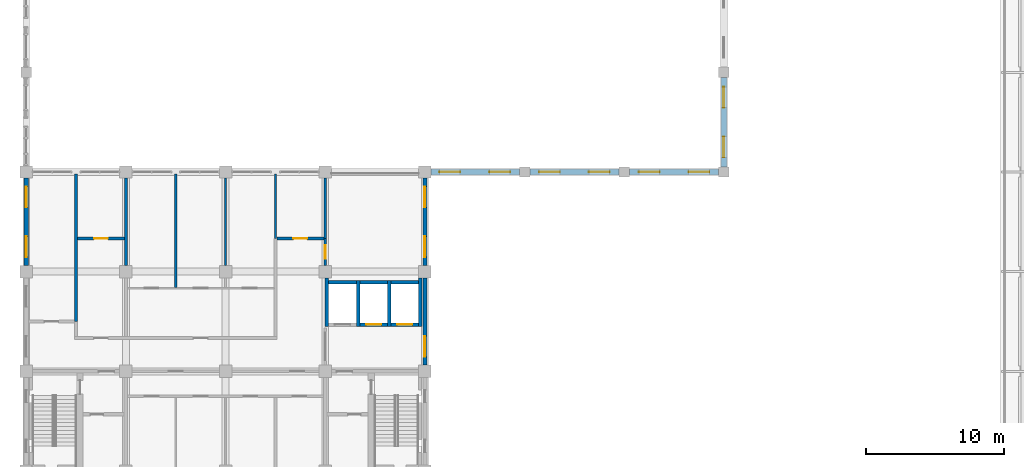
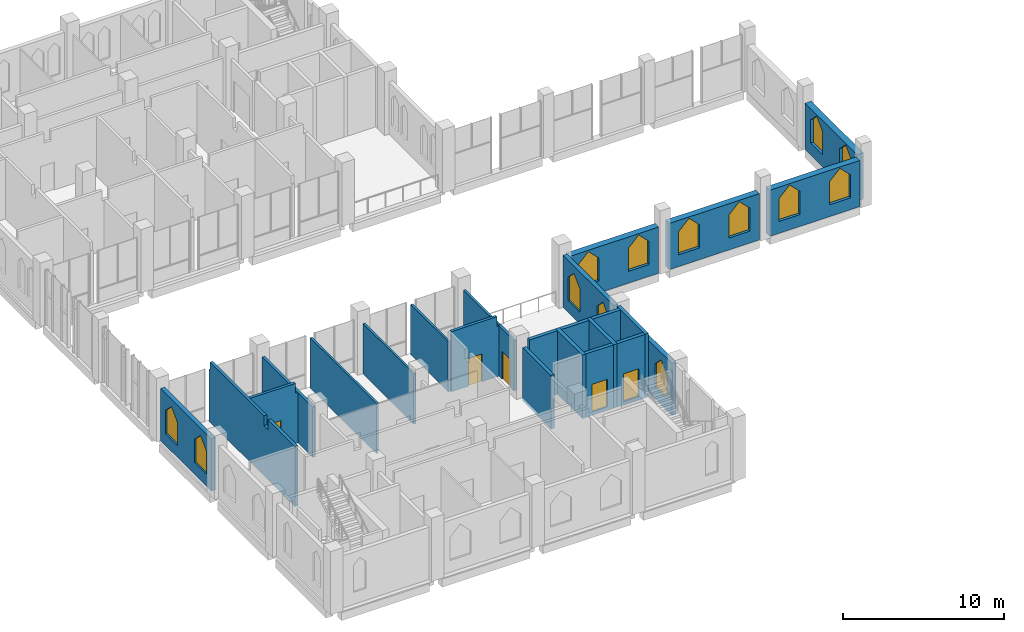
# One storey, part 21 of 30: 25 walls, 13 windows, 5 doors, 18 openings.
"""IFC4 building model written with IfcOpenShell, lengths in metres."""

from ifc_helpers import new_model, si_unit, direction, frame, frame_2d, origin, place, context, subcontext, project, spatial, polyline, rectangle, outline, extrude, material, layer, layer_set, type_object, element, fill, save


model = new_model("IFC4")

# Units and contexts
model_context = context("Model", 3, precision=1e-05, world=origin(), true_north=direction((0.0, 1.0)))
body_context = subcontext(model_context, "Body", "Model", "MODEL_VIEW")
ifc_project = project(units=[si_unit("LENGTHUNIT", "METRE"), si_unit("AREAUNIT", "SQUARE_METRE"), si_unit("VOLUMEUNIT", "CUBIC_METRE"), si_unit("PLANEANGLEUNIT", "RADIAN"), si_unit("MASSUNIT", "GRAM", prefix="KILO")], contexts=[model_context])

# Site, building, storey
site_placement = place(None, origin())
site = spatial("IfcSite", under=ifc_project, at=site_placement, CompositionType="ELEMENT")
building_placement = place(site_placement, origin())
building = spatial("IfcBuilding", under=site, at=building_placement, Name="Silangan Lancet Faculty of Sciences", CompositionType="ELEMENT")
storey_placement = place(building_placement, frame((0.0, 0.0, 31.199951171875)))
storey = spatial("IfcBuildingStorey", under=building, at=storey_placement, Name="L06", CompositionType="ELEMENT", Elevation=31.199951171875)

# Wall, openings, windows
ifc_material_1 = material(Name="Concrete C40/50 precast", Category="concrete")
ifc_layer_1 = layer(ifc_material_1, 0.300048828125)
ifc_layer_set_1 = layer_set([ifc_layer_1], Name="Concrete C40/50 precast")
wall_type_1 = type_object("IfcWallType", Name="EW1 Precast cladding wall", PredefinedType="STANDARD", material=ifc_layer_set_1)
wall_1_placement = place(storey_placement, frame((0.0, 14.85009765625, 0.0), z_axis=(0.0, 0.0, 1.0), x_axis=(0.0, 1.0, 0.0)))
wall_1 = element("IfcWall", 1, at=wall_1_placement, inside=storey, type_object=wall_type_1, Name="EW-L06-W-ST-02", PredefinedType="STANDARD", context=body_context, shape_type="SweptSolid", body=[
    extrude(rectangle(XDim=6.2998046875, YDim=0.300048828125, at=frame_2d((3.14990234375, 0.0))), origin(), (0.0, 0.0, 1.0), 3.949951171875),
])
opening_1_placement = place(wall_1_placement, frame((0.60009765625, 0.0, 0.89990234375)))
opening_1 = element("IfcOpeningElement", 2, at=opening_1_placement, cuts=wall_1, Name="Opening W12", PredefinedType="OPENING", context=body_context, shape_type="SweptSolid", body=[
    extrude(outline(polyline([(0.0, 0.0), (1.5, 0.0), (1.5, 1.75), (0.75, 2.5), (0.0, 1.75), (0.0, 0.0)])), frame((0.0, 0.159912109375, 0.0), z_axis=(0.0, -1.0, 0.0), x_axis=(1.0, 0.0, 0.0)), (0.0, 0.0, 1.0), 0.320068359375),
])
opening_2_placement = place(wall_1_placement, frame((4.199951171875, 0.0, 0.89990234375)))
opening_2 = element("IfcOpeningElement", 3, at=opening_2_placement, cuts=wall_1, Name="Opening W12", PredefinedType="OPENING", context=body_context, shape_type="SweptSolid", body=[
    extrude(outline(polyline([(0.0, 0.0), (1.5, 0.0), (1.5, 1.75), (0.75, 2.5), (0.0, 1.75), (0.0, 0.0)])), frame((0.0, 0.159912109375, 0.0), z_axis=(0.0, -1.0, 0.0), x_axis=(1.0, 0.0, 0.0)), (0.0, 0.0, 1.0), 0.320068359375),
])
ifc_material_2 = material(Name="Aluminium frame, laminated double glazing", Category="aluminium")
window_type_1 = type_object("IfcWindowType", Name="W12 Lancet window 1500 x 2500", PartitioningType="SINGLE_PANEL", PredefinedType="WINDOW", material=ifc_material_2)
window_1_placement = place(opening_1_placement, origin())
window_1 = element("IfcWindow", 4, at=window_1_placement, inside=storey, type_object=window_type_1, Name="WIN-L06-W-ST-02a", OverallHeight=2.5, OverallWidth=1.5, PartitioningType="SINGLE_PANEL", PredefinedType="WINDOW", context=body_context, shape_type="SweptSolid", body=[
    extrude(outline(polyline([(0.0, 0.0), (1.5, 0.0), (1.5, 1.75), (0.75, 2.5), (0.0, 1.75), (0.0, 0.0)])), frame((0.0, 0.030029296875, 0.0), z_axis=(0.0, -1.0, 0.0), x_axis=(1.0, 0.0, 0.0)), (0.0, 0.0, 1.0), 0.06005859375),
])
fill(opening_1, window_1)
window_2_placement = place(opening_2_placement, origin())
window_2 = element("IfcWindow", 5, at=window_2_placement, inside=storey, type_object=window_type_1, Name="WIN-L06-W-ST-02b", OverallHeight=2.5, OverallWidth=1.5, PartitioningType="SINGLE_PANEL", PredefinedType="WINDOW", context=body_context, shape_type="SweptSolid", body=[
    extrude(outline(polyline([(0.0, 0.0), (1.5, 0.0), (1.5, 1.75), (0.75, 2.5), (0.0, 1.75), (0.0, 0.0)])), frame((0.0, 0.030029296875, 0.0), z_axis=(0.0, -1.0, 0.0), x_axis=(1.0, 0.0, 0.0)), (0.0, 0.0, 1.0), 0.06005859375),
])
fill(opening_2, window_2)

# Wall, opening, window
wall_2_placement = place(storey_placement, frame((28.800048828125, 7.64990234375, 0.0), z_axis=(0.0, 0.0, 1.0), x_axis=(0.0, 1.0, 0.0)))
wall_2 = element("IfcWall", 6, at=wall_2_placement, inside=storey, type_object=wall_type_1, Name="EW-L06-E-ST-01", PredefinedType="STANDARD", context=body_context, shape_type="SweptSolid", body=[
    extrude(rectangle(XDim=6.300048828125, YDim=0.300048828125, at=frame_2d((3.14990234375, 0.0))), origin(), (0.0, 0.0, 1.0), 3.949951171875),
])
opening_3_placement = place(wall_2_placement, frame((0.60009765625, 0.0, 0.89990234375)))
opening_3 = element("IfcOpeningElement", 7, at=opening_3_placement, cuts=wall_2, Name="Opening W12", PredefinedType="OPENING", context=body_context, shape_type="SweptSolid", body=[
    extrude(outline(polyline([(0.0, 0.0), (1.5, 0.0), (1.5, 1.75), (0.75, 2.5), (0.0, 1.75), (0.0, 0.0)])), frame((0.0, 0.159912109375, 0.0), z_axis=(0.0, -1.0, 0.0), x_axis=(1.0, 0.0, 0.0)), (0.0, 0.0, 1.0), 0.320068359375),
])
window_3_placement = place(opening_3_placement, origin())
window_3 = element("IfcWindow", 8, at=window_3_placement, inside=storey, type_object=window_type_1, Name="WIN-L06-E-ST-01a", OverallHeight=2.5, OverallWidth=1.5, PartitioningType="SINGLE_PANEL", PredefinedType="WINDOW", context=body_context, shape_type="SweptSolid", body=[
    extrude(outline(polyline([(0.0, 0.0), (1.5, 0.0), (1.5, 1.75), (0.75, 2.5), (0.0, 1.75), (0.0, 0.0)])), frame((0.0, 0.030029296875, 0.0), z_axis=(0.0, -1.0, 0.0), x_axis=(1.0, 0.0, 0.0)), (0.0, 0.0, 1.0), 0.06005859375),
])
fill(opening_3, window_3)

# Wall, openings, windows
wall_3_placement = place(storey_placement, frame((28.800048828125, 14.85009765625, 0.0), z_axis=(0.0, 0.0, 1.0), x_axis=(0.0, 1.0, 0.0)))
wall_3 = element("IfcWall", 9, at=wall_3_placement, inside=storey, type_object=wall_type_1, Name="EW-L06-E-ST-02", PredefinedType="STANDARD", context=body_context, shape_type="SweptSolid", body=[
    extrude(rectangle(XDim=6.2998046875, YDim=0.300048828125, at=frame_2d((3.14990234375, 0.0))), origin(), (0.0, 0.0, 1.0), 3.949951171875),
])
opening_4_placement = place(wall_3_placement, frame((0.60009765625, 0.0, 0.89990234375)))
opening_4 = element("IfcOpeningElement", 10, at=opening_4_placement, cuts=wall_3, Name="Opening W12", PredefinedType="OPENING", context=body_context, shape_type="SweptSolid", body=[
    extrude(outline(polyline([(0.0, 0.0), (1.5, 0.0), (1.5, 1.75), (0.75, 2.5), (0.0, 1.75), (0.0, 0.0)])), frame((0.0, 0.159912109375, 0.0), z_axis=(0.0, -1.0, 0.0), x_axis=(1.0, 0.0, 0.0)), (0.0, 0.0, 1.0), 0.320068359375),
])
opening_5_placement = place(wall_3_placement, frame((4.199951171875, 0.0, 0.89990234375)))
opening_5 = element("IfcOpeningElement", 11, at=opening_5_placement, cuts=wall_3, Name="Opening W12", PredefinedType="OPENING", context=body_context, shape_type="SweptSolid", body=[
    extrude(outline(polyline([(0.0, 0.0), (1.5, 0.0), (1.5, 1.75), (0.75, 2.5), (0.0, 1.75), (0.0, 0.0)])), frame((0.0, 0.159912109375, 0.0), z_axis=(0.0, -1.0, 0.0), x_axis=(1.0, 0.0, 0.0)), (0.0, 0.0, 1.0), 0.320068359375),
])
window_4_placement = place(opening_4_placement, origin())
window_4 = element("IfcWindow", 12, at=window_4_placement, inside=storey, type_object=window_type_1, Name="WIN-L06-E-ST-02a", OverallHeight=2.5, OverallWidth=1.5, PartitioningType="SINGLE_PANEL", PredefinedType="WINDOW", context=body_context, shape_type="SweptSolid", body=[
    extrude(outline(polyline([(0.0, 0.0), (1.5, 0.0), (1.5, 1.75), (0.75, 2.5), (0.0, 1.75), (0.0, 0.0)])), frame((0.0, 0.030029296875, 0.0), z_axis=(0.0, -1.0, 0.0), x_axis=(1.0, 0.0, 0.0)), (0.0, 0.0, 1.0), 0.06005859375),
])
fill(opening_4, window_4)
window_5_placement = place(opening_5_placement, origin())
window_5 = element("IfcWindow", 13, at=window_5_placement, inside=storey, type_object=window_type_1, Name="WIN-L06-E-ST-02b", OverallHeight=2.5, OverallWidth=1.5, PartitioningType="SINGLE_PANEL", PredefinedType="WINDOW", context=body_context, shape_type="SweptSolid", body=[
    extrude(outline(polyline([(0.0, 0.0), (1.5, 0.0), (1.5, 1.75), (0.75, 2.5), (0.0, 1.75), (0.0, 0.0)])), frame((0.0, 0.030029296875, 0.0), z_axis=(0.0, -1.0, 0.0), x_axis=(1.0, 0.0, 0.0)), (0.0, 0.0, 1.0), 0.06005859375),
])
fill(opening_5, window_5)

ifc_material_3 = material(Name="Concrete C40/50", Category="concrete")
ifc_layer_2 = layer(ifc_material_3, 0.449951171875)
ifc_layer_set_2 = layer_set([ifc_layer_2], Name="Concrete C40/50")
wall_type_2 = type_object("IfcWallType", Name="EW8 Clerestory wall with deep reveals", PredefinedType="STANDARD", material=ifc_layer_set_2)
wall_4_placement = place(storey_placement, frame((29.25, 21.60009765625, 0.0), z_axis=(0.0, 0.0, 1.0), x_axis=(1.0, 0.0, 0.0)))
wall_4 = element("IfcWall", 14, at=wall_4_placement, inside=storey, type_object=wall_type_2, Name="EW-L06-S-NAVE-CL-00", PredefinedType="STANDARD", context=body_context, shape_type="SweptSolid", body=[
    extrude(rectangle(XDim=6.375, YDim=0.449951171875, at=frame_2d((3.1875, 0.0))), origin(), (0.0, 0.0, 1.0), 3.5),
])
opening_6_placement = place(wall_4_placement, frame((0.60009765625, 0.0, 0.89990234375)))
opening_6 = element("IfcOpeningElement", 15, at=opening_6_placement, cuts=wall_4, Name="Opening W12", PredefinedType="OPENING", context=body_context, shape_type="SweptSolid", body=[
    extrude(outline(polyline([(0.0, 0.0), (1.5, 0.0), (1.5, 1.75), (0.75, 2.5), (0.0, 1.75), (0.0, 0.0)])), frame((0.0, 0.23486328125, 0.0), z_axis=(0.0, -1.0, 0.0), x_axis=(1.0, 0.0, 0.0)), (0.0, 0.0, 1.0), 0.469970703125),
])
opening_7_placement = place(wall_4_placement, frame((4.199951171875, 0.0, 0.89990234375)))
opening_7 = element("IfcOpeningElement", 16, at=opening_7_placement, cuts=wall_4, Name="Opening W13", PredefinedType="OPENING", context=body_context, shape_type="SweptSolid", body=[
    extrude(outline(polyline([(0.0, 0.0), (1.5, 0.0), (1.5, 1.75), (0.75, 2.5), (0.0, 1.75), (0.0, 0.0)])), frame((0.0, 0.23486328125, 0.0), z_axis=(0.0, -1.0, 0.0), x_axis=(1.0, 0.0, 0.0)), (0.0, 0.0, 1.0), 0.469970703125),
])
window_6_placement = place(opening_6_placement, origin())
window_6 = element("IfcWindow", 17, at=window_6_placement, inside=storey, type_object=window_type_1, Name="WIN-L06-S-NAVE-CL-00a", OverallHeight=2.5, OverallWidth=1.5, PartitioningType="SINGLE_PANEL", PredefinedType="WINDOW", context=body_context, shape_type="SweptSolid", body=[
    extrude(outline(polyline([(0.0, 0.0), (1.5, 0.0), (1.5, 1.75), (0.75, 2.5), (0.0, 1.75), (0.0, 0.0)])), frame((0.0, 0.030029296875, 0.0), z_axis=(0.0, -1.0, 0.0), x_axis=(1.0, 0.0, 0.0)), (0.0, 0.0, 1.0), 0.06005859375),
])
fill(opening_6, window_6)
ifc_material_4 = material(Name="Aluminium storm louvre blades", Category="aluminium")
window_type_2 = type_object("IfcWindowType", Name="W13 Storm louvre lancet 1500 x 2500", PartitioningType="SINGLE_PANEL", PredefinedType="WINDOW", material=ifc_material_4)
window_7_placement = place(opening_7_placement, origin())
window_7 = element("IfcWindow", 18, at=window_7_placement, inside=storey, type_object=window_type_2, Name="WIN-L06-S-NAVE-CL-00b", OverallHeight=2.5, OverallWidth=1.5, PartitioningType="SINGLE_PANEL", PredefinedType="WINDOW", context=body_context, shape_type="SweptSolid", body=[
    extrude(outline(polyline([(0.0, 0.0), (1.5, 0.0), (1.5, 1.75), (0.75, 2.5), (0.0, 1.75), (0.0, 0.0)])), frame((0.0, 0.030029296875, 0.0), z_axis=(0.0, -1.0, 0.0), x_axis=(1.0, 0.0, 0.0)), (0.0, 0.0, 1.0), 0.06005859375),
])
fill(opening_7, window_7)

wall_5_placement = place(storey_placement, frame((36.375, 21.60009765625, 0.0), z_axis=(0.0, 0.0, 1.0), x_axis=(1.0, 0.0, 0.0)))
wall_5 = element("IfcWall", 19, at=wall_5_placement, inside=storey, type_object=wall_type_2, Name="EW-L06-S-NAVE-CL-01", PredefinedType="STANDARD", context=body_context, shape_type="SweptSolid", body=[
    extrude(rectangle(XDim=6.449951171875, YDim=0.449951171875, at=frame_2d((3.22509765625, 0.0))), origin(), (0.0, 0.0, 1.0), 3.5),
])
opening_8_placement = place(wall_5_placement, frame((0.675048828125, 0.0, 0.89990234375)))
opening_8 = element("IfcOpeningElement", 20, at=opening_8_placement, cuts=wall_5, Name="Opening W12", PredefinedType="OPENING", context=body_context, shape_type="SweptSolid", body=[
    extrude(outline(polyline([(0.0, 0.0), (1.5, 0.0), (1.5, 1.75), (0.75, 2.5), (0.0, 1.75), (0.0, 0.0)])), frame((0.0, 0.23486328125, 0.0), z_axis=(0.0, -1.0, 0.0), x_axis=(1.0, 0.0, 0.0)), (0.0, 0.0, 1.0), 0.469970703125),
])
opening_9_placement = place(wall_5_placement, frame((4.27490234375, 0.0, 0.89990234375)))
opening_9 = element("IfcOpeningElement", 21, at=opening_9_placement, cuts=wall_5, Name="Opening W13", PredefinedType="OPENING", context=body_context, shape_type="SweptSolid", body=[
    extrude(outline(polyline([(0.0, 0.0), (1.5, 0.0), (1.5, 1.75), (0.75, 2.5), (0.0, 1.75), (0.0, 0.0)])), frame((0.0, 0.23486328125, 0.0), z_axis=(0.0, -1.0, 0.0), x_axis=(1.0, 0.0, 0.0)), (0.0, 0.0, 1.0), 0.469970703125),
])
window_8_placement = place(opening_8_placement, origin())
window_8 = element("IfcWindow", 22, at=window_8_placement, inside=storey, type_object=window_type_1, Name="WIN-L06-S-NAVE-CL-01a", OverallHeight=2.5, OverallWidth=1.5, PartitioningType="SINGLE_PANEL", PredefinedType="WINDOW", context=body_context, shape_type="SweptSolid", body=[
    extrude(outline(polyline([(0.0, 0.0), (1.5, 0.0), (1.5, 1.75), (0.75, 2.5), (0.0, 1.75), (0.0, 0.0)])), frame((0.0, 0.030029296875, 0.0), z_axis=(0.0, -1.0, 0.0), x_axis=(1.0, 0.0, 0.0)), (0.0, 0.0, 1.0), 0.06005859375),
])
fill(opening_8, window_8)
window_9_placement = place(opening_9_placement, origin())
window_9 = element("IfcWindow", 23, at=window_9_placement, inside=storey, type_object=window_type_2, Name="WIN-L06-S-NAVE-CL-01b", OverallHeight=2.5, OverallWidth=1.5, PartitioningType="SINGLE_PANEL", PredefinedType="WINDOW", context=body_context, shape_type="SweptSolid", body=[
    extrude(outline(polyline([(0.0, 0.0), (1.5, 0.0), (1.5, 1.75), (0.75, 2.5), (0.0, 1.75), (0.0, 0.0)])), frame((0.0, 0.030029296875, 0.0), z_axis=(0.0, -1.0, 0.0), x_axis=(1.0, 0.0, 0.0)), (0.0, 0.0, 1.0), 0.06005859375),
])
fill(opening_9, window_9)

wall_6_placement = place(storey_placement, frame((43.574951171875, 21.60009765625, 0.0), z_axis=(0.0, 0.0, 1.0), x_axis=(1.0, 0.0, 0.0)))
wall_6 = element("IfcWall", 24, at=wall_6_placement, inside=storey, type_object=wall_type_2, Name="EW-L06-S-NAVE-CL-02", PredefinedType="STANDARD", context=body_context, shape_type="SweptSolid", body=[
    extrude(rectangle(XDim=6.449951171875, YDim=0.449951171875, at=frame_2d((3.22509765625, 0.0))), origin(), (0.0, 0.0, 1.0), 3.5),
])
opening_10_placement = place(wall_6_placement, frame((0.675048828125, 0.0, 0.89990234375)))
opening_10 = element("IfcOpeningElement", 25, at=opening_10_placement, cuts=wall_6, Name="Opening W12", PredefinedType="OPENING", context=body_context, shape_type="SweptSolid", body=[
    extrude(outline(polyline([(0.0, 0.0), (1.5, 0.0), (1.5, 1.75), (0.75, 2.5), (0.0, 1.75), (0.0, 0.0)])), frame((0.0, 0.23486328125, 0.0), z_axis=(0.0, -1.0, 0.0), x_axis=(1.0, 0.0, 0.0)), (0.0, 0.0, 1.0), 0.469970703125),
])
opening_11_placement = place(wall_6_placement, frame((4.27490234375, 0.0, 0.89990234375)))
opening_11 = element("IfcOpeningElement", 26, at=opening_11_placement, cuts=wall_6, Name="Opening W13", PredefinedType="OPENING", context=body_context, shape_type="SweptSolid", body=[
    extrude(outline(polyline([(0.0, 0.0), (1.5, 0.0), (1.5, 1.75), (0.75, 2.5), (0.0, 1.75), (0.0, 0.0)])), frame((0.0, 0.23486328125, 0.0), z_axis=(0.0, -1.0, 0.0), x_axis=(1.0, 0.0, 0.0)), (0.0, 0.0, 1.0), 0.469970703125),
])
window_10_placement = place(opening_10_placement, origin())
window_10 = element("IfcWindow", 27, at=window_10_placement, inside=storey, type_object=window_type_1, Name="WIN-L06-S-NAVE-CL-02a", OverallHeight=2.5, OverallWidth=1.5, PartitioningType="SINGLE_PANEL", PredefinedType="WINDOW", context=body_context, shape_type="SweptSolid", body=[
    extrude(outline(polyline([(0.0, 0.0), (1.5, 0.0), (1.5, 1.75), (0.75, 2.5), (0.0, 1.75), (0.0, 0.0)])), frame((0.0, 0.030029296875, 0.0), z_axis=(0.0, -1.0, 0.0), x_axis=(1.0, 0.0, 0.0)), (0.0, 0.0, 1.0), 0.06005859375),
])
fill(opening_10, window_10)
window_11_placement = place(opening_11_placement, origin())
window_11 = element("IfcWindow", 28, at=window_11_placement, inside=storey, type_object=window_type_2, Name="WIN-L06-S-NAVE-CL-02b", OverallHeight=2.5, OverallWidth=1.5, PartitioningType="SINGLE_PANEL", PredefinedType="WINDOW", context=body_context, shape_type="SweptSolid", body=[
    extrude(outline(polyline([(0.0, 0.0), (1.5, 0.0), (1.5, 1.75), (0.75, 2.5), (0.0, 1.75), (0.0, 0.0)])), frame((0.0, 0.030029296875, 0.0), z_axis=(0.0, -1.0, 0.0), x_axis=(1.0, 0.0, 0.0)), (0.0, 0.0, 1.0), 0.06005859375),
])
fill(opening_11, window_11)

wall_7_placement = place(storey_placement, frame((50.39990234375, 21.97509765625, 0.0), z_axis=(0.0, 0.0, 1.0), x_axis=(0.0, 1.0, 0.0)))
wall_7 = element("IfcWall", 29, at=wall_7_placement, inside=storey, type_object=wall_type_2, Name="EW-L06-E-NAVE-00", PredefinedType="STANDARD", context=body_context, shape_type="SweptSolid", body=[
    extrude(rectangle(XDim=6.449951171875, YDim=0.449951171875, at=frame_2d((3.22509765625, 0.0))), origin(), (0.0, 0.0, 1.0), 3.5),
])
opening_12_placement = place(wall_7_placement, frame((0.675048828125, 0.0, 0.89990234375)))
opening_12 = element("IfcOpeningElement", 30, at=opening_12_placement, cuts=wall_7, Name="Opening W12", PredefinedType="OPENING", context=body_context, shape_type="SweptSolid", body=[
    extrude(outline(polyline([(0.0, 0.0), (1.5, 0.0), (1.5, 1.75), (0.75, 2.5), (0.0, 1.75), (0.0, 0.0)])), frame((0.0, 0.23486328125, 0.0), z_axis=(0.0, -1.0, 0.0), x_axis=(1.0, 0.0, 0.0)), (0.0, 0.0, 1.0), 0.469970703125),
])
opening_13_placement = place(wall_7_placement, frame((4.27490234375, 0.0, 0.89990234375)))
opening_13 = element("IfcOpeningElement", 31, at=opening_13_placement, cuts=wall_7, Name="Opening W13", PredefinedType="OPENING", context=body_context, shape_type="SweptSolid", body=[
    extrude(outline(polyline([(0.0, 0.0), (1.5, 0.0), (1.5, 1.75), (0.75, 2.5), (0.0, 1.75), (0.0, 0.0)])), frame((0.0, 0.23486328125, 0.0), z_axis=(0.0, -1.0, 0.0), x_axis=(1.0, 0.0, 0.0)), (0.0, 0.0, 1.0), 0.469970703125),
])
window_12_placement = place(opening_12_placement, origin())
window_12 = element("IfcWindow", 32, at=window_12_placement, inside=storey, type_object=window_type_1, Name="WIN-L06-E-NAVE-00a", OverallHeight=2.5, OverallWidth=1.5, PartitioningType="SINGLE_PANEL", PredefinedType="WINDOW", context=body_context, shape_type="SweptSolid", body=[
    extrude(outline(polyline([(0.0, 0.0), (1.5, 0.0), (1.5, 1.75), (0.75, 2.5), (0.0, 1.75), (0.0, 0.0)])), frame((0.0, 0.030029296875, 0.0), z_axis=(0.0, -1.0, 0.0), x_axis=(1.0, 0.0, 0.0)), (0.0, 0.0, 1.0), 0.06005859375),
])
fill(opening_12, window_12)
window_13_placement = place(opening_13_placement, origin())
window_13 = element("IfcWindow", 33, at=window_13_placement, inside=storey, type_object=window_type_2, Name="WIN-L06-E-NAVE-00b", OverallHeight=2.5, OverallWidth=1.5, PartitioningType="SINGLE_PANEL", PredefinedType="WINDOW", context=body_context, shape_type="SweptSolid", body=[
    extrude(outline(polyline([(0.0, 0.0), (1.5, 0.0), (1.5, 1.75), (0.75, 2.5), (0.0, 1.75), (0.0, 0.0)])), frame((0.0, 0.030029296875, 0.0), z_axis=(0.0, -1.0, 0.0), x_axis=(1.0, 0.0, 0.0)), (0.0, 0.0, 1.0), 0.06005859375),
])
fill(opening_13, window_13)

# Wall, opening, door
ifc_material_5 = material(Name="Hollow block masonry fm 7 MPa", Category="masonry")
ifc_layer_3 = layer(ifc_material_5, 0.199951171875)
ifc_layer_set_3 = layer_set([ifc_layer_3], Name="Hollow block masonry fm 7 MPa")
wall_type_3 = type_object("IfcWallType", Name="Interior wall PW1 Corridor wall CHB 200", PredefinedType="PARTITIONING", material=ifc_layer_set_3)
wall_8_placement = place(storey_placement, frame((18.10009765625, 16.800048828125, 0.0), z_axis=(0.0, 0.0, 1.0), x_axis=(1.0, 0.0, 0.0)))
wall_8 = element("IfcWall", 34, at=wall_8_placement, inside=storey, type_object=wall_type_3, Name="Corridor wall CHB 200", PredefinedType="PARTITIONING", context=body_context, shape_type="SweptSolid", body=[
    extrude(outline(polyline([(0.0, 0.0), (3.39990234375, 0.0), (3.39990234375, 3.800048828125), (3.25, 3.800048828125), (3.25, 4.550048828125), (0.0, 4.550048828125), (0.0, 0.0)])), frame((0.0, 0.10009765625, 0.0), z_axis=(0.0, -1.0, 0.0), x_axis=(1.0, 0.0, 0.0)), (0.0, 0.0, 1.0), 0.199951171875),
])
opening_14_placement = place(wall_8_placement, frame((1.199951171875, 0.0, 0.0)))
opening_14 = element("IfcOpeningElement", 35, at=opening_14_placement, cuts=wall_8, Name="Opening L06-011", PredefinedType="OPENING", context=body_context, shape_type="SweptSolid", body=[
    extrude(rectangle(XDim=1.0, YDim=2.10009765625, at=frame_2d((0.5, 1.050048828125))), frame((0.0, 0.10986328125, 0.0), z_axis=(0.0, -1.0, 0.0), x_axis=(1.0, 0.0, 0.0)), (0.0, 0.0, 1.0), 0.219970703125),
])
ifc_material_6 = material(Name="Steel fire door set", Category="steel")
door_type_1 = type_object("IfcDoorType", Name="Door D1 Single leaf fire door 1000 x 2100", OperationType="SINGLE_SWING_LEFT", PredefinedType="DOOR", material=ifc_material_6)
door_1_placement = place(opening_14_placement, origin())
door_1 = element("IfcDoor", 36, at=door_1_placement, inside=storey, type_object=door_type_1, Name="Single leaf fire door 1000 x 2100", OperationType="SINGLE_SWING_LEFT", OverallHeight=2.10009765625, OverallWidth=1.0, PredefinedType="DOOR", context=body_context, shape_type="SweptSolid", body=[
    extrude(rectangle(XDim=1.0, YDim=2.10009765625, at=frame_2d((0.5, 1.050048828125))), frame((0.0, 0.02490234375, 0.0), z_axis=(0.0, -1.0, 0.0), x_axis=(1.0, 0.0, 0.0)), (0.0, 0.0, 1.0), 0.050048828125),
])
fill(opening_14, door_1)

wall_9_placement = place(storey_placement, frame((21.60009765625, 14.85009765625, 0.0), z_axis=(0.0, 0.0, 1.0), x_axis=(0.0, 1.0, 0.0)))
wall_9 = element("IfcWall", 37, at=wall_9_placement, inside=storey, type_object=wall_type_3, Name="Corridor wall CHB 200", PredefinedType="PARTITIONING", context=body_context, shape_type="SweptSolid", body=[
    extrude(rectangle(XDim=1.949951171875, YDim=0.199951171875, at=frame_2d((0.97509765625, 0.0))), origin(), (0.0, 0.0, 1.0), 3.800048828125),
])
opening_15_placement = place(wall_9_placement, frame((0.474853515625, 0.0, 0.0)))
opening_15 = element("IfcOpeningElement", 38, at=opening_15_placement, cuts=wall_9, Name="Opening L06-012", PredefinedType="OPENING", context=body_context, shape_type="SweptSolid", body=[
    extrude(rectangle(XDim=1.0, YDim=2.10009765625, at=frame_2d((0.5, 1.050048828125))), frame((0.0, 0.10986328125, 0.0), z_axis=(0.0, -1.0, 0.0), x_axis=(1.0, 0.0, 0.0)), (0.0, 0.0, 1.0), 0.219970703125),
])
door_2_placement = place(opening_15_placement, frame((1.0, 0.0, 0.0), z_axis=(0.0, 0.0, 1.0), x_axis=(-1.0, 0.0, 0.0)))
door_2 = element("IfcDoor", 39, at=door_2_placement, inside=storey, type_object=door_type_1, Name="Single leaf fire door 1000 x 2100", OperationType="SINGLE_SWING_LEFT", OverallHeight=2.10009765625, OverallWidth=1.0, PredefinedType="DOOR", context=body_context, shape_type="SweptSolid", body=[
    extrude(rectangle(XDim=1.0, YDim=2.10009765625, at=frame_2d((0.5, 1.050048828125))), frame((0.0, 0.025146484375, 0.0), z_axis=(0.0, -1.0, 0.0), x_axis=(1.0, 0.0, 0.0)), (0.0, 0.0, 1.0), 0.050048828125),
])
fill(opening_15, door_2)

# Walls
ifc_material_7 = material(Name="Hollow block masonry fm 7 MPa", Category="masonry")
ifc_layer_4 = layer(ifc_material_7, 0.14990234375)
ifc_layer_set_4 = layer_set([ifc_layer_4], Name="Hollow block masonry fm 7 MPa")
wall_type_4 = type_object("IfcWallType", Name="Interior wall PW3 Partition CHB 150", PredefinedType="PARTITIONING", material=ifc_layer_set_4)
wall_10_placement = place(storey_placement, frame((10.800048828125, 13.25, 0.0), z_axis=(0.0, 0.0, 1.0), x_axis=(0.0, 1.0, 0.0)))
element("IfcWall", 40, at=wall_10_placement, inside=storey, type_object=wall_type_4, Name="Partition CHB 150", PredefinedType="PARTITIONING", context=body_context, shape_type="SweptSolid", body=[
    extrude(rectangle(XDim=8.199951171875, YDim=0.14990234375, at=frame_2d((4.10009765625, 0.0))), origin(), (0.0, 0.0, 1.0), 3.800048828125),
])
wall_11_placement = place(storey_placement, frame((14.39990234375, 14.85009765625, 0.0), z_axis=(0.0, 0.0, 1.0), x_axis=(0.0, 1.0, 0.0)))
element("IfcWall", 41, at=wall_11_placement, inside=storey, type_object=wall_type_4, Name="Partition CHB 150", PredefinedType="PARTITIONING", context=body_context, shape_type="SweptSolid", body=[
    extrude(rectangle(XDim=6.2998046875, YDim=0.14990234375, at=frame_2d((3.14990234375, 0.0))), origin(), (0.0, 0.0, 1.0), 3.800048828125),
])
wall_12_placement = place(storey_placement, frame((18.0, 16.800048828125, 0.0), z_axis=(0.0, 0.0, 1.0), x_axis=(0.0, 1.0, 0.0)))
element("IfcWall", 42, at=wall_12_placement, inside=storey, type_object=wall_type_4, Name="Partition CHB 150", PredefinedType="PARTITIONING", context=body_context, shape_type="SweptSolid", body=[
    extrude(rectangle(XDim=4.64990234375, YDim=0.14990234375, at=frame_2d((2.324951171875, 0.0))), origin(), (0.0, 0.0, 1.0), 3.800048828125),
])
wall_13_placement = place(storey_placement, frame((21.60009765625, 16.800048828125, 0.0), z_axis=(0.0, 0.0, 1.0), x_axis=(0.0, 1.0, 0.0)))
element("IfcWall", 43, at=wall_13_placement, inside=storey, type_object=wall_type_4, Name="Partition CHB 150", PredefinedType="PARTITIONING", context=body_context, shape_type="SweptSolid", body=[
    extrude(rectangle(XDim=4.349853515625, YDim=0.14990234375, at=frame_2d((2.1748046875, 0.0))), origin(), (0.0, 0.0, 1.0), 3.800048828125),
])

# Wall, opening, door
ifc_material_8 = material(Name="Hollow block masonry fm 7 MPa", Category="masonry")
ifc_layer_5 = layer(ifc_material_8, 0.199951171875)
ifc_layer_set_5 = layer_set([ifc_layer_5], Name="Hollow block masonry fm 7 MPa")
wall_type_5 = type_object("IfcWallType", Name="Interior wall PW4 Laboratory separation CHB 200", PredefinedType="PARTITIONING", material=ifc_layer_set_5)
wall_14_placement = place(storey_placement, frame((3.699951171875, 16.800048828125, 0.0), z_axis=(0.0, 0.0, 1.0), x_axis=(1.0, 0.0, 0.0)))
wall_14 = element("IfcWall", 44, at=wall_14_placement, inside=storey, type_object=wall_type_5, Name="Laboratory separation CHB 200", PredefinedType="PARTITIONING", context=body_context, shape_type="SweptSolid", body=[
    extrude(outline(polyline([(0.0, 0.0), (3.400146484375, 0.0), (3.400146484375, 3.800048828125), (3.25, 3.800048828125), (3.25, 4.550048828125), (0.0, 4.550048828125), (0.0, 0.0)])), frame((0.0, 0.10009765625, 0.0), z_axis=(0.0, -1.0, 0.0), x_axis=(1.0, 0.0, 0.0)), (0.0, 0.0, 1.0), 0.199951171875),
])
opening_16_placement = place(wall_14_placement, frame((1.199951171875, 0.0, 0.0)))
opening_16 = element("IfcOpeningElement", 45, at=opening_16_placement, cuts=wall_14, Name="Opening L06-015", PredefinedType="OPENING", context=body_context, shape_type="SweptSolid", body=[
    extrude(rectangle(XDim=1.0, YDim=2.10009765625, at=frame_2d((0.5, 1.050048828125))), frame((0.0, 0.10986328125, 0.0), z_axis=(0.0, -1.0, 0.0), x_axis=(1.0, 0.0, 0.0)), (0.0, 0.0, 1.0), 0.219970703125),
])
door_3_placement = place(opening_16_placement, origin())
door_3 = element("IfcDoor", 46, at=door_3_placement, inside=storey, type_object=door_type_1, Name="Single leaf fire door 1000 x 2100", OperationType="SINGLE_SWING_LEFT", OverallHeight=2.10009765625, OverallWidth=1.0, PredefinedType="DOOR", context=body_context, shape_type="SweptSolid", body=[
    extrude(rectangle(XDim=1.0, YDim=2.10009765625, at=frame_2d((0.5, 1.050048828125))), frame((0.0, 0.02490234375, 0.0), z_axis=(0.0, -1.0, 0.0), x_axis=(1.0, 0.0, 0.0)), (0.0, 0.0, 1.0), 0.050048828125),
])
fill(opening_16, door_3)

# Walls
wall_15_placement = place(storey_placement, frame((3.60009765625, 10.800048828125, 0.0), z_axis=(0.0, 0.0, 1.0), x_axis=(0.0, 1.0, 0.0)))
element("IfcWall", 47, at=wall_15_placement, inside=storey, type_object=wall_type_5, Name="Laboratory separation CHB 200", PredefinedType="PARTITIONING", context=body_context, shape_type="SweptSolid", body=[
    extrude(outline(polyline([(0.0, 0.0), (10.64990234375, 0.0), (10.64990234375, 3.949951171875), (10.550048828125, 3.949951171875), (10.550048828125, 4.550048828125), (3.85009765625, 4.550048828125), (3.85009765625, 3.800048828125), (3.35009765625, 3.800048828125), (3.35009765625, 4.550048828125), (0.0, 4.550048828125), (0.0, 0.0)])), frame((0.0, 0.10009765625, 0.0), z_axis=(0.0, -1.0, 0.0), x_axis=(1.0, 0.0, 0.0)), (0.0, 0.0, 1.0), 0.199951171875),
])
wall_16_placement = place(storey_placement, frame((7.199951171875, 14.85009765625, 0.0), z_axis=(0.0, 0.0, 1.0), x_axis=(0.0, 1.0, 0.0)))
element("IfcWall", 48, at=wall_16_placement, inside=storey, type_object=wall_type_5, Name="Laboratory separation CHB 200", PredefinedType="PARTITIONING", context=body_context, shape_type="SweptSolid", body=[
    extrude(rectangle(XDim=6.2998046875, YDim=0.199951171875, at=frame_2d((3.14990234375, 0.0))), origin(), (0.0, 0.0, 1.0), 3.800048828125),
])
ifc_material_9 = material(Name="Concrete C40/50", Category="concrete")
ifc_layer_6 = layer(ifc_material_9, 0.25)
ifc_layer_set_6 = layer_set([ifc_layer_6], Name="Concrete C40/50")
wall_type_6 = type_object("IfcWallType", Name="LIFT SHAFT WALL RC 250", PredefinedType="SHEAR", material=ifc_layer_set_6)
wall_17_placement = place(storey_placement, frame((21.72509765625, 10.449951171875, -0.25), z_axis=(0.0, 0.0, 1.0), x_axis=(0.0, 1.0, 0.0)))
element("IfcWall", 49, at=wall_17_placement, inside=storey, type_object=wall_type_6, Name="WALL-L06-ST-SW1", PredefinedType="SHEAR", context=body_context, shape_type="SweptSolid", body=[
    extrude(rectangle(XDim=3.5, YDim=0.25, at=frame_2d((1.75, 0.0))), origin(), (0.0, 0.0, 1.0), 4.050048828125),
])
for number, where, z_axis, x_axis, name in (
    (50, (23.97509765625, 10.449951171875, -0.25), (0.0, 0.0, 1.0), (0.0, 1.0, 0.0), "WALL-L06-ST-SW2"),
    (51, (26.22509765625, 10.449951171875, -0.25), (0.0, 0.0, 1.0), (0.0, 1.0, 0.0), "WALL-L06-ST-SW3"),
):
    element("IfcWall", number, at=place(storey_placement, frame(where, z_axis=z_axis, x_axis=x_axis)), inside=storey, type_object=wall_type_6, Name=name, PredefinedType="SHEAR", context=body_context, shape_type="SweptSolid", body=[
        extrude(rectangle(XDim=3.300048828125, YDim=0.25, at=frame_2d((1.64990234375, 0.0))), origin(), (0.0, 0.0, 1.0), 4.800048828125),
    ])
wall_18_placement = place(storey_placement, frame((28.47509765625, 10.449951171875, -0.25), z_axis=(0.0, 0.0, 1.0), x_axis=(0.0, 1.0, 0.0)))
element("IfcWall", 52, at=wall_18_placement, inside=storey, type_object=wall_type_6, Name="WALL-L06-ST-SW4", PredefinedType="SHEAR", context=body_context, shape_type="SweptSolid", body=[
    extrude(rectangle(XDim=3.5, YDim=0.25, at=frame_2d((1.75, 0.0))), origin(), (0.0, 0.0, 1.0), 4.800048828125),
])
wall_19_placement = place(storey_placement, frame((21.85009765625, 13.625, -0.25), z_axis=(0.0, 0.0, 1.0), x_axis=(1.0, 0.0, 0.0)))
element("IfcWall", 53, at=wall_19_placement, inside=storey, type_object=wall_type_6, Name="WALL-L06-ST-L1-B", PredefinedType="SHEAR", context=body_context, shape_type="SweptSolid", body=[
    extrude(rectangle(XDim=2.0, YDim=0.25, at=frame_2d((1.0, 0.0))), origin(), (0.0, 0.0, 1.0), 4.800048828125),
])

# Wall, opening, door
wall_20_placement = place(storey_placement, frame((24.10009765625, 10.574951171875, -0.25), z_axis=(0.0, 0.0, 1.0), x_axis=(1.0, 0.0, 0.0)))
wall_20 = element("IfcWall", 54, at=wall_20_placement, inside=storey, type_object=wall_type_6, Name="WALL-L06-ST-L2-F", PredefinedType="SHEAR", context=body_context, shape_type="SweptSolid", body=[
    extrude(rectangle(XDim=2.0, YDim=0.25, at=frame_2d((1.0, 0.0))), origin(), (0.0, 0.0, 1.0), 4.800048828125),
])
opening_17_placement = place(wall_20_placement, frame((0.449951171875, 0.0, 0.25)))
opening_17 = element("IfcOpeningElement", 55, at=opening_17_placement, cuts=wall_20, Name="Opening L06-805", PredefinedType="OPENING", context=body_context, shape_type="SweptSolid", body=[
    extrude(rectangle(XDim=1.10009765625, YDim=2.10009765625, at=frame_2d((0.550048828125, 1.050048828125))), frame((0.0, 0.135009765625, 0.0), z_axis=(0.0, -1.0, 0.0), x_axis=(1.0, 0.0, 0.0)), (0.0, 0.0, 1.0), 0.27001953125),
])
ifc_material_10 = material(Name="Stainless steel sliding door", Category="steel")
door_type_2 = type_object("IfcDoorType", Name="LD1 Lift landing door 1100x2100", OperationType="SLIDING_TO_LEFT", PredefinedType="DOOR", material=ifc_material_10)
door_4_placement = place(opening_17_placement, origin())
door_4 = element("IfcDoor", 56, at=door_4_placement, inside=storey, type_object=door_type_2, Name="Landing door ST-L2 L06", OperationType="SLIDING_TO_LEFT", OverallHeight=2.10009765625, OverallWidth=1.10009765625, PredefinedType="DOOR", context=body_context, shape_type="SweptSolid", body=[
    extrude(rectangle(XDim=1.10009765625, YDim=2.10009765625, at=frame_2d((0.550048828125, 1.050048828125))), frame((0.0, 0.02490234375, 0.0), z_axis=(0.0, -1.0, 0.0), x_axis=(1.0, 0.0, 0.0)), (0.0, 0.0, 1.0), 0.050048828125),
])
fill(opening_17, door_4)

# Wall
wall_21_placement = place(storey_placement, frame((24.10009765625, 13.625, -0.25), z_axis=(0.0, 0.0, 1.0), x_axis=(1.0, 0.0, 0.0)))
element("IfcWall", 57, at=wall_21_placement, inside=storey, type_object=wall_type_6, Name="WALL-L06-ST-L2-B", PredefinedType="SHEAR", context=body_context, shape_type="SweptSolid", body=[
    extrude(rectangle(XDim=2.0, YDim=0.25, at=frame_2d((1.0, 0.0))), origin(), (0.0, 0.0, 1.0), 4.800048828125),
])

# Wall, opening, door
wall_22_placement = place(storey_placement, frame((26.35009765625, 10.574951171875, -0.25), z_axis=(0.0, 0.0, 1.0), x_axis=(1.0, 0.0, 0.0)))
wall_22 = element("IfcWall", 58, at=wall_22_placement, inside=storey, type_object=wall_type_6, Name="WALL-L06-ST-L3-F", PredefinedType="SHEAR", context=body_context, shape_type="SweptSolid", body=[
    extrude(rectangle(XDim=2.0, YDim=0.25, at=frame_2d((1.0, 0.0))), origin(), (0.0, 0.0, 1.0), 4.800048828125),
])
opening_18_placement = place(wall_22_placement, frame((0.449951171875, 0.0, 0.25)))
opening_18 = element("IfcOpeningElement", 59, at=opening_18_placement, cuts=wall_22, Name="Opening L06-806", PredefinedType="OPENING", context=body_context, shape_type="SweptSolid", body=[
    extrude(rectangle(XDim=1.10009765625, YDim=2.10009765625, at=frame_2d((0.550048828125, 1.050048828125))), frame((0.0, 0.135009765625, 0.0), z_axis=(0.0, -1.0, 0.0), x_axis=(1.0, 0.0, 0.0)), (0.0, 0.0, 1.0), 0.27001953125),
])
door_5_placement = place(opening_18_placement, origin())
door_5 = element("IfcDoor", 60, at=door_5_placement, inside=storey, type_object=door_type_2, Name="Landing door ST-L3 L06", OperationType="SLIDING_TO_LEFT", OverallHeight=2.10009765625, OverallWidth=1.10009765625, PredefinedType="DOOR", context=body_context, shape_type="SweptSolid", body=[
    extrude(rectangle(XDim=1.10009765625, YDim=2.10009765625, at=frame_2d((0.550048828125, 1.050048828125))), frame((0.0, 0.02490234375, 0.0), z_axis=(0.0, -1.0, 0.0), x_axis=(1.0, 0.0, 0.0)), (0.0, 0.0, 1.0), 0.050048828125),
])
fill(opening_18, door_5)

# Wall
wall_23_placement = place(storey_placement, frame((26.35009765625, 13.625, -0.25), z_axis=(0.0, 0.0, 1.0), x_axis=(1.0, 0.0, 0.0)))
element("IfcWall", 61, at=wall_23_placement, inside=storey, type_object=wall_type_6, Name="WALL-L06-ST-L3-B", PredefinedType="SHEAR", context=body_context, shape_type="SweptSolid", body=[
    extrude(rectangle(XDim=2.0, YDim=0.25, at=frame_2d((1.0, 0.0))), origin(), (0.0, 0.0, 1.0), 4.800048828125),
])

save(model, "model.ifc")
